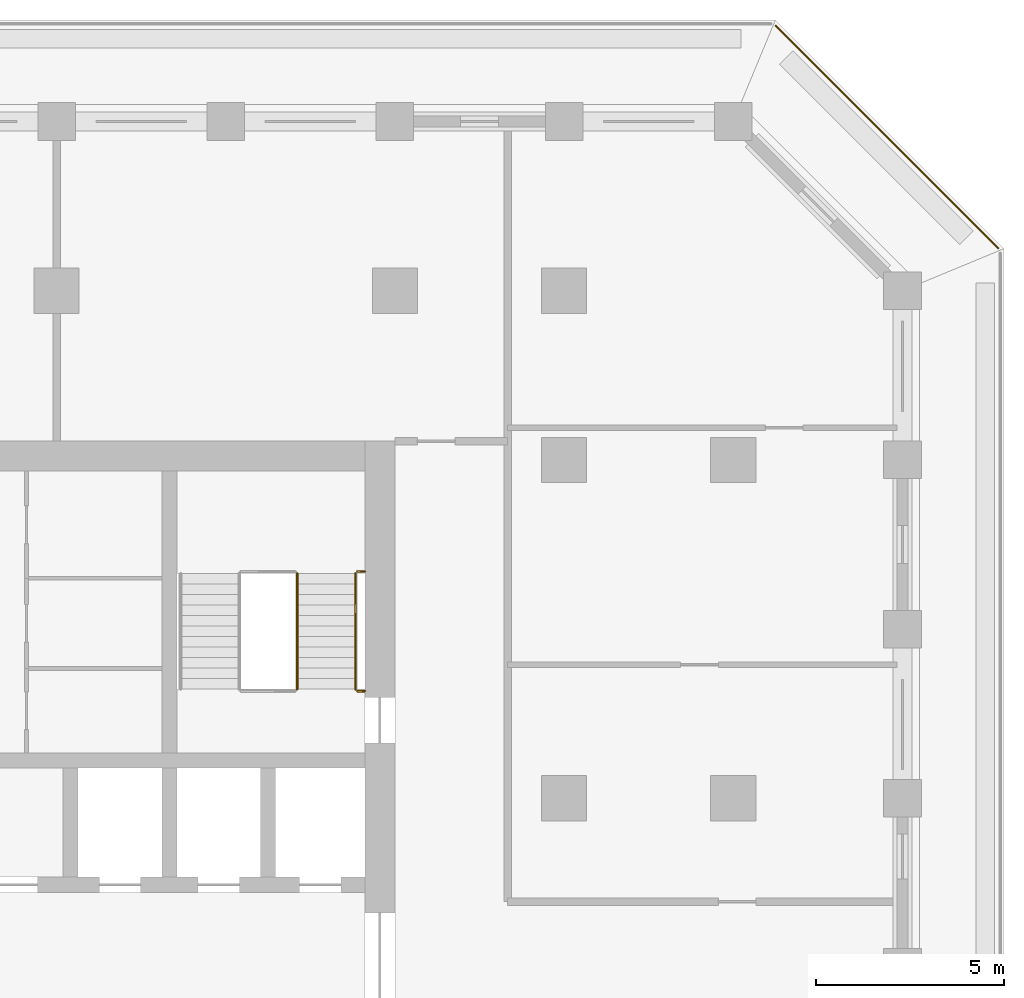
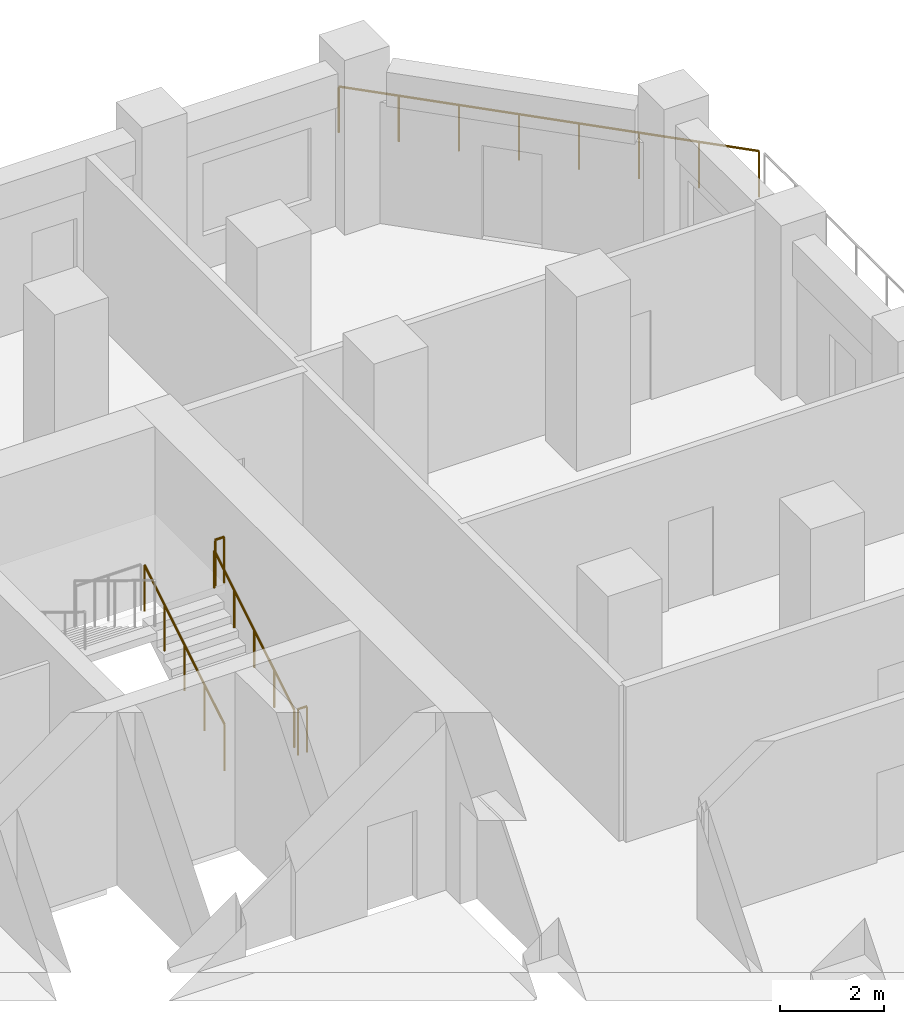
# One storey, part 15 of 16: 5 railings.
"""IFC4 building model written with IfcOpenShell, lengths in metres."""

from ifc_helpers import new_model, si_unit, direction, frame, origin, origin_2d, place, context, subcontext, project, spatial, circle, extrude, material, type_object, element, save


model = new_model("IFC4")

# Units and contexts
model_context = context("Model", 3, precision=1e-05, world=origin(), true_north=direction((0.0, 1.0)))
body_context = subcontext(model_context, "Body", "Model", "MODEL_VIEW")
ifc_project = project(units=[si_unit("LENGTHUNIT", "METRE"), si_unit("AREAUNIT", "SQUARE_METRE"), si_unit("VOLUMEUNIT", "CUBIC_METRE"), si_unit("PLANEANGLEUNIT", "RADIAN"), si_unit("MASSUNIT", "GRAM", prefix="KILO")], contexts=[model_context])

# Site, building, storey
site_placement = place(None, origin())
site = spatial("IfcSite", under=ifc_project, at=site_placement, CompositionType="ELEMENT")
building_placement = place(site_placement, origin())
building = spatial("IfcBuilding", under=site, at=building_placement, Name="Corbel Stack Research Tower", CompositionType="ELEMENT")
storey_placement = place(building_placement, frame((0.0, 0.0, 212.0)))
storey = spatial("IfcBuildingStorey", under=building, at=storey_placement, Name="L48", CompositionType="ELEMENT", Elevation=212.0)

# Railings
ifc_material_1 = material(Name="Steel S355", Category="steel")
railing_type_1 = type_object("IfcRailingType", Name="Stair guard 1100", PredefinedType="GUARDRAIL", material=ifc_material_1)
railing_1_placement = place(storey_placement, frame((15.39990234375, 11.89990234375, 0.1708984375)))
element("IfcRailing", 1, at=railing_1_placement, inside=storey, type_object=railing_type_1, Name="L48 ST-E2 stair guard 1", PredefinedType="GUARDRAIL", context=body_context, shape_type="SweptSolid", body=[
    extrude(circle(Radius=0.02392578125, at=origin_2d()), frame((0.0, 0.0, 1.076171875), z_axis=(0.0, 0.853666305674, 0.52082035152), x_axis=(-1.0, 0.0, 0.0)), (0.0, 0.0, 1.0), 3.608154296875),
    extrude(circle(Radius=0.02099609375, at=origin_2d()), origin(), (0.0, 0.0, 1.0), 1.052001953125),
    extrude(circle(Radius=0.02099609375, at=origin_2d()), frame((0.0, 0.77001953125, 0.4697265625)), (0.0, 0.0, 1.0), 1.052001953125),
    extrude(circle(Radius=0.02099609375, at=origin_2d()), frame((0.0, 1.5400390625, 0.939453125)), (0.0, 0.0, 1.0), 1.052001953125),
    extrude(circle(Radius=0.02099609375, at=origin_2d()), frame((0.0, 2.31005859375, 1.409423828125)), (0.0, 0.0, 1.0), 1.052001953125),
    extrude(circle(Radius=0.02099609375, at=origin_2d()), frame((0.0, 3.080078125, 1.879150390625)), (0.0, 0.0, 1.0), 1.052001953125),
])
for number, where, name in (
    (2, (17.199951171875, 15.030029296875, 2.050048828125), "L48 ST-E2 stair guard 3"),
    (3, (17.199951171875, 11.85009765625, 0.0), "L48 ST-E2 stair guard 6"),
):
    element("IfcRailing", number, at=place(storey_placement, frame(where)), inside=storey, type_object=railing_type_1, Name=name, PredefinedType="GUARDRAIL", context=body_context, shape_type="SweptSolid", body=[
        extrude(circle(Radius=0.02392578125, at=origin_2d()), frame((0.0, 0.0, 1.076171875), z_axis=(-1.0, 0.0, 0.0), x_axis=(0.0, -1.0, 0.0)), (0.0, 0.0, 1.0), 0.199951171875),
        extrude(circle(Radius=0.02099609375, at=origin_2d()), origin(), (0.0, 0.0, 1.0), 1.052001953125),
        extrude(circle(Radius=0.02099609375, at=origin_2d()), frame((-0.199951171875, 0.0, 0.0)), (0.0, 0.0, 1.0), 1.052001953125),
    ])
ifc_material_2 = material(Name="Steel S355", Category="steel")
railing_type_2 = type_object("IfcRailingType", Name="Stair handrail 900", PredefinedType="HANDRAIL", material=ifc_material_2)
railing_2_placement = place(storey_placement, frame((16.949951171875, 11.89990234375, 0.1708984375)))
element("IfcRailing", 4, at=railing_2_placement, inside=storey, type_object=railing_type_2, Name="L48 ST-E2 stair handrail 1", PredefinedType="HANDRAIL", context=body_context, shape_type="SweptSolid", body=[
    extrude(circle(Radius=0.02392578125, at=origin_2d()), frame((0.0, 0.0, 0.8759765625), z_axis=(0.0, 0.853666305674, 0.52082035152), x_axis=(-1.0, 0.0, 0.0)), (0.0, 0.0, 1.0), 3.608154296875),
    extrude(circle(Radius=0.02099609375, at=origin_2d()), origin(), (0.0, 0.0, 1.0), 0.851806640625),
    extrude(circle(Radius=0.02099609375, at=origin_2d()), frame((0.0, 0.77001953125, 0.4697265625)), (0.0, 0.0, 1.0), 0.851806640625),
    extrude(circle(Radius=0.02099609375, at=origin_2d()), frame((0.0, 1.5400390625, 0.939453125)), (0.0, 0.0, 1.0), 0.851806640625),
    extrude(circle(Radius=0.02099609375, at=origin_2d()), frame((0.0, 2.31005859375, 1.409423828125)), (0.0, 0.0, 1.0), 0.851806640625),
    extrude(circle(Radius=0.02099609375, at=origin_2d()), frame((0.0, 3.080078125, 1.879150390625)), (0.0, 0.0, 1.0), 0.851806640625),
])
ifc_material_3 = material(Name="Powder-coated steel guard", Category="steel")
railing_type_3 = type_object("IfcRailingType", Name="Steel and glass guard 1100", PredefinedType="GUARDRAIL", material=ifc_material_3)
railing_3_placement = place(storey_placement, frame((34.04931640625, 23.627685546875, 0.0)))
element("IfcRailing", 5, at=railing_3_placement, inside=storey, type_object=railing_type_3, Name="Loggia guard L48 NE", PredefinedType="GUARDRAIL", context=body_context, shape_type="SweptSolid", body=[
    extrude(circle(Radius=0.02392578125, at=origin_2d()), frame((0.0, 0.0, 1.076171875), z_axis=(-0.707106781187, 0.707106781187, 0.0), x_axis=(-0.707106781187, -0.707106781187, 0.0)), (0.0, 0.0, 1.0), 8.37451171875),
    extrude(circle(Radius=0.02099609375, at=origin_2d()), origin(), (0.0, 0.0, 1.0), 1.052001953125),
    extrude(circle(Radius=0.02099609375, at=origin_2d()), frame((-0.845947265625, 0.845947265625, 0.0)), (0.0, 0.0, 1.0), 1.052001953125),
    extrude(circle(Radius=0.02099609375, at=origin_2d()), frame((-1.69189453125, 1.69189453125, 0.0)), (0.0, 0.0, 1.0), 1.052001953125),
    extrude(circle(Radius=0.02099609375, at=origin_2d()), frame((-2.537841796875, 2.537841796875, 0.0)), (0.0, 0.0, 1.0), 1.052001953125),
    extrude(circle(Radius=0.02099609375, at=origin_2d()), frame((-3.3837890625, 3.3837890625, 0.0)), (0.0, 0.0, 1.0), 1.052001953125),
    extrude(circle(Radius=0.02099609375, at=origin_2d()), frame((-4.229736328125, 4.229736328125, 0.0)), (0.0, 0.0, 1.0), 1.052001953125),
    extrude(circle(Radius=0.02099609375, at=origin_2d()), frame((-5.07568359375, 5.07568359375, 0.0)), (0.0, 0.0, 1.0), 1.052001953125),
    extrude(circle(Radius=0.02099609375, at=origin_2d()), frame((-5.921630859375, 5.921630859375, 0.0)), (0.0, 0.0, 1.0), 1.052001953125),
])

save(model, "model.ifc")
